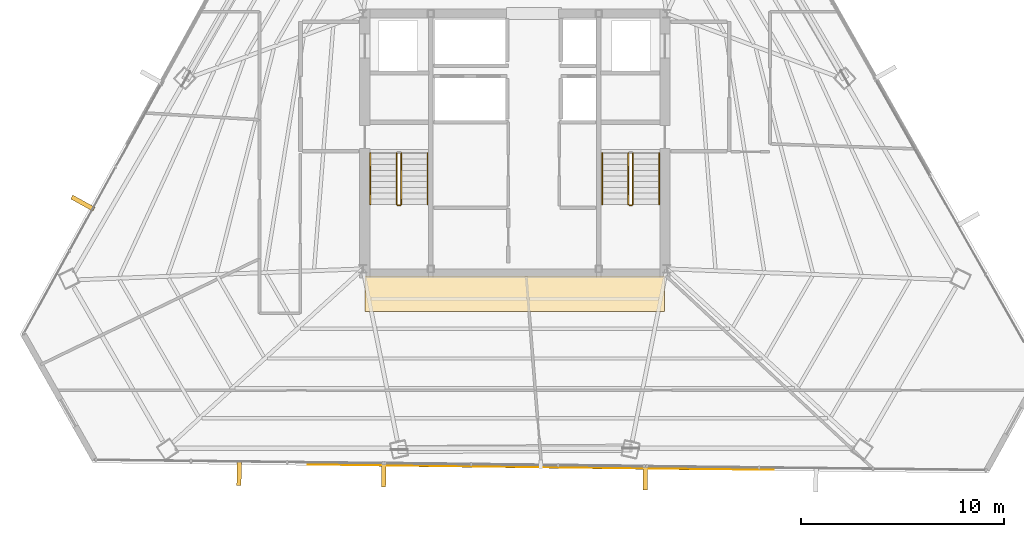
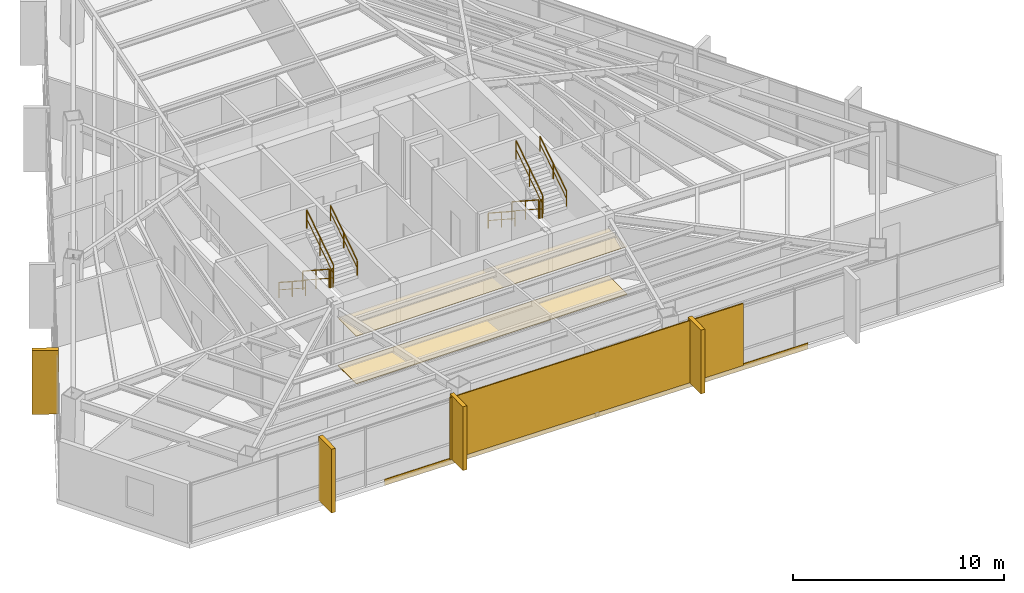
# One storey, part 38 of 40: 10 railings, 7 coverings, 1 shading device.
"""IFC4 building model written with IfcOpenShell, lengths in metres."""

from ifc_helpers import new_model, si_unit, direction, frame, origin, origin_2d, place, context, subcontext, project, spatial, polyline, rectangle, outline, extrude, source, transform, mapped, material, layer, layer_set, type_object, type_shapes, element, save


model = new_model("IFC4")

# Units and contexts
model_context = context("Model", 3, precision=1e-05, world=origin(), true_north=direction((0.0, 1.0)))
body_context = subcontext(model_context, "Body", "Model", "MODEL_VIEW")
ifc_project = project(units=[si_unit("LENGTHUNIT", "METRE"), si_unit("AREAUNIT", "SQUARE_METRE"), si_unit("VOLUMEUNIT", "CUBIC_METRE"), si_unit("PLANEANGLEUNIT", "RADIAN"), si_unit("MASSUNIT", "GRAM", prefix="KILO")], contexts=[model_context])

# Site, building, storey
site_placement = place(None, origin())
site = spatial("IfcSite", under=ifc_project, at=site_placement, CompositionType="ELEMENT")
building_placement = place(site_placement, origin())
building = spatial("IfcBuilding", under=site, at=building_placement, Name="Caelisora Broadcast Tower", CompositionType="ELEMENT")
storey_placement = place(building_placement, frame((0.0, 0.0, 213.25)))
storey = spatial("IfcBuildingStorey", under=building, at=storey_placement, Name="L56", CompositionType="ELEMENT", Elevation=213.25)

# Coverings
ifc_material_1 = material(Name="Perforated Mineral-Fibre Acoustic Ceiling Tile", Category="gypsum")
ifc_layer_1 = layer(ifc_material_1, 0.034912109375, Name="Perforated Mineral-Fibre Acoustic Ceiling Tile")
ifc_layer_set_1 = layer_set([ifc_layer_1], Name="Perforated Mineral-Fibre Acoustic Ceiling Tile")
covering_type_1 = type_object("IfcCoveringType", Name="CE-1", PredefinedType="CEILING", material=ifc_layer_set_1)
covering_1_placement = place(storey_placement, frame((0.0, 0.0, 2.75)))
element("IfcCovering", 1, at=covering_1_placement, inside=storey, type_object=covering_type_1, Name="L56 acoustic corridor ceiling CE-1 (S)", PredefinedType="CEILING", context=body_context, shape_type="SweptSolid", body=[
    extrude(outline(polyline([(30.60009765625, 15.300048828125), (45.39990234375, 15.300048828125), (45.39990234375, 17.050048828125), (30.60009765625, 17.050048828125), (30.60009765625, 15.300048828125)])), origin(), (0.0, 0.0, 1.0), 0.034912109375),
])
ifc_material_2 = material(Name="Anti-Static Broadcast Raised Access Floor Panel", Category="steel")
ifc_layer_2 = layer(ifc_material_2, 0.044921875, Name="Anti-Static Broadcast Raised Access Floor Panel")
ifc_layer_set_2 = layer_set([ifc_layer_2], Name="Anti-Static Broadcast Raised Access Floor Panel")
covering_type_2 = type_object("IfcCoveringType", Name="FL-1", PredefinedType="FLOORING", material=ifc_layer_set_2)
covering_2_placement = place(storey_placement, origin())
element("IfcCovering", 2, at=covering_2_placement, inside=storey, type_object=covering_type_2, Name="L56 broadcast raised access floor FL-1 (S)", PredefinedType="FLOORING", context=body_context, shape_type="SweptSolid", body=[
    extrude(outline(polyline([(30.60009765625, 15.300048828125), (45.39990234375, 15.300048828125), (45.39990234375, 17.050048828125), (30.60009765625, 17.050048828125), (30.60009765625, 15.300048828125)])), origin(), (0.0, 0.0, 1.0), 0.044921875),
])

# Railings
ifc_material_3 = material(Name="Galvanised Steel Safety Guardrail", Category="steel")
ifc_layer_3 = layer(ifc_material_3, 0.048095703125, Name="Galvanised Steel Safety Guardrail")
ifc_layer_set_3 = layer_set([ifc_layer_3], Name="Galvanised Steel Safety Guardrail")
railing_type_1 = type_object("IfcRailingType", Name="GR-1", PredefinedType="GUARDRAIL", material=ifc_layer_set_3)
railing_1_placement = place(storey_placement, frame((32.169921875, 23.10009765625, 0.1826171875)))
element("IfcRailing", 3, at=railing_1_placement, inside=storey, type_object=railing_type_1, Name="L56 ST-1 stair guard 1", PredefinedType="GUARDRAIL", context=body_context, shape_type="SweptSolid", body=[
    extrude(rectangle(XDim=0.048095703125, YDim=0.048095703125, at=origin_2d()), frame((0.0, 0.0, 1.076171875), z_axis=(0.0, -0.837786554691, 0.545997883492), x_axis=(1.0, 0.0, 0.0)), (0.0, 0.0, 1.0), 3.008056640625),
    extrude(rectangle(XDim=0.03125, YDim=0.03125, at=origin_2d()), frame((0.0, 0.0, 0.550048828125), z_axis=(0.0, -0.837786554691, 0.545997883492), x_axis=(1.0, 0.0, 0.0)), (0.0, 0.0, 1.0), 3.008056640625),
    extrude(rectangle(XDim=0.0419921875, YDim=0.0419921875, at=origin_2d()), origin(), (0.0, 0.0, 1.0), 1.052001953125),
    extrude(rectangle(XDim=0.0419921875, YDim=0.0419921875, at=origin_2d()), frame((0.0, -1.260009765625, 0.8212890625)), (0.0, 0.0, 1.0), 1.052001953125),
    extrude(rectangle(XDim=0.0419921875, YDim=0.0419921875, at=origin_2d()), frame((0.0, -2.52001953125, 1.642333984375)), (0.0, 0.0, 1.0), 1.052001953125),
])
railing_2_placement = place(storey_placement, frame((32.219970703125, 20.530029296875, 1.824951171875)))
element("IfcRailing", 4, at=railing_2_placement, inside=storey, type_object=railing_type_1, Name="L56 ST-1 stair guard 2", PredefinedType="GUARDRAIL", context=body_context, shape_type="SweptSolid", body=[
    extrude(rectangle(XDim=0.048095703125, YDim=0.048095703125, at=origin_2d()), frame((0.0, 0.0, 1.076171875), z_axis=(1.0, 0.0, 0.0), x_axis=(0.0, 1.0, 0.0)), (0.0, 0.0, 1.0), 0.1201171875),
    extrude(rectangle(XDim=0.03125, YDim=0.03125, at=origin_2d()), frame((0.0, 0.0, 0.550048828125), z_axis=(1.0, 0.0, 0.0), x_axis=(0.0, 1.0, 0.0)), (0.0, 0.0, 1.0), 0.1201171875),
    extrude(rectangle(XDim=0.0419921875, YDim=0.0419921875, at=origin_2d()), origin(), (0.0, 0.0, 1.0), 1.052001953125),
    extrude(rectangle(XDim=0.0419921875, YDim=0.0419921875, at=origin_2d()), frame((0.1201171875, 0.0, 0.0)), (0.0, 0.0, 1.0), 1.052001953125),
])
railing_3_placement = place(storey_placement, frame((32.389892578125, 20.580078125, 2.007568359375)))
element("IfcRailing", 5, at=railing_3_placement, inside=storey, type_object=railing_type_1, Name="L56 ST-1 stair guard 3", PredefinedType="GUARDRAIL", context=body_context, shape_type="SweptSolid", body=[
    extrude(rectangle(XDim=0.048095703125, YDim=0.048095703125, at=origin_2d()), frame((0.0, 0.0, 1.076171875), z_axis=(0.0, 0.837786554691, 0.545997883492), x_axis=(-1.0, 0.0, 0.0)), (0.0, 0.0, 1.0), 3.008056640625),
    extrude(rectangle(XDim=0.03125, YDim=0.03125, at=origin_2d()), frame((0.0, 0.0, 0.550048828125), z_axis=(0.0, 0.837786554691, 0.545997883492), x_axis=(-1.0, 0.0, 0.0)), (0.0, 0.0, 1.0), 3.008056640625),
    extrude(rectangle(XDim=0.0419921875, YDim=0.0419921875, at=origin_2d()), origin(), (0.0, 0.0, 1.0), 1.052001953125),
    extrude(rectangle(XDim=0.0419921875, YDim=0.0419921875, at=origin_2d()), frame((0.0, 1.260009765625, 0.8212890625)), (0.0, 0.0, 1.0), 1.052001953125),
    extrude(rectangle(XDim=0.0419921875, YDim=0.0419921875, at=origin_2d()), frame((0.0, 2.52001953125, 1.642333984375)), (0.0, 0.0, 1.0), 1.052001953125),
])
railing_4_placement = place(storey_placement, frame((43.610107421875, 23.10009765625, 0.1826171875)))
element("IfcRailing", 6, at=railing_4_placement, inside=storey, type_object=railing_type_1, Name="L56 ST-2 stair guard 1", PredefinedType="GUARDRAIL", context=body_context, shape_type="SweptSolid", body=[
    extrude(rectangle(XDim=0.048095703125, YDim=0.048095703125, at=origin_2d()), frame((0.0, 0.0, 1.076171875), z_axis=(0.0, -0.837786554691, 0.545997883492), x_axis=(1.0, 0.0, 0.0)), (0.0, 0.0, 1.0), 3.008056640625),
    extrude(rectangle(XDim=0.03125, YDim=0.03125, at=origin_2d()), frame((0.0, 0.0, 0.550048828125), z_axis=(0.0, -0.837786554691, 0.545997883492), x_axis=(1.0, 0.0, 0.0)), (0.0, 0.0, 1.0), 3.008056640625),
    extrude(rectangle(XDim=0.0419921875, YDim=0.0419921875, at=origin_2d()), origin(), (0.0, 0.0, 1.0), 1.052001953125),
    extrude(rectangle(XDim=0.0419921875, YDim=0.0419921875, at=origin_2d()), frame((0.0, -1.260009765625, 0.8212890625)), (0.0, 0.0, 1.0), 1.052001953125),
    extrude(rectangle(XDim=0.0419921875, YDim=0.0419921875, at=origin_2d()), frame((0.0, -2.52001953125, 1.642333984375)), (0.0, 0.0, 1.0), 1.052001953125),
])
railing_5_placement = place(storey_placement, frame((43.659912109375, 20.530029296875, 1.824951171875)))
element("IfcRailing", 7, at=railing_5_placement, inside=storey, type_object=railing_type_1, Name="L56 ST-2 stair guard 2", PredefinedType="GUARDRAIL", context=body_context, shape_type="SweptSolid", body=[
    extrude(rectangle(XDim=0.048095703125, YDim=0.048095703125, at=origin_2d()), frame((0.0, 0.0, 1.076171875), z_axis=(1.0, 0.0, 0.0), x_axis=(0.0, 1.0, 0.0)), (0.0, 0.0, 1.0), 0.1201171875),
    extrude(rectangle(XDim=0.03125, YDim=0.03125, at=origin_2d()), frame((0.0, 0.0, 0.550048828125), z_axis=(1.0, 0.0, 0.0), x_axis=(0.0, 1.0, 0.0)), (0.0, 0.0, 1.0), 0.1201171875),
    extrude(rectangle(XDim=0.0419921875, YDim=0.0419921875, at=origin_2d()), origin(), (0.0, 0.0, 1.0), 1.052001953125),
    extrude(rectangle(XDim=0.0419921875, YDim=0.0419921875, at=origin_2d()), frame((0.1201171875, 0.0, 0.0)), (0.0, 0.0, 1.0), 1.052001953125),
])
railing_6_placement = place(storey_placement, frame((43.830078125, 20.580078125, 2.007568359375)))
element("IfcRailing", 8, at=railing_6_placement, inside=storey, type_object=railing_type_1, Name="L56 ST-2 stair guard 3", PredefinedType="GUARDRAIL", context=body_context, shape_type="SweptSolid", body=[
    extrude(rectangle(XDim=0.048095703125, YDim=0.048095703125, at=origin_2d()), frame((0.0, 0.0, 1.076171875), z_axis=(0.0, 0.837786554691, 0.545997883492), x_axis=(-1.0, 0.0, 0.0)), (0.0, 0.0, 1.0), 3.008056640625),
    extrude(rectangle(XDim=0.03125, YDim=0.03125, at=origin_2d()), frame((0.0, 0.0, 0.550048828125), z_axis=(0.0, 0.837786554691, 0.545997883492), x_axis=(-1.0, 0.0, 0.0)), (0.0, 0.0, 1.0), 3.008056640625),
    extrude(rectangle(XDim=0.0419921875, YDim=0.0419921875, at=origin_2d()), origin(), (0.0, 0.0, 1.0), 1.052001953125),
    extrude(rectangle(XDim=0.0419921875, YDim=0.0419921875, at=origin_2d()), frame((0.0, 1.260009765625, 0.8212890625)), (0.0, 0.0, 1.0), 1.052001953125),
    extrude(rectangle(XDim=0.0419921875, YDim=0.0419921875, at=origin_2d()), frame((0.0, 2.52001953125, 1.642333984375)), (0.0, 0.0, 1.0), 1.052001953125),
])
ifc_material_4 = material(Name="Stainless Steel Grade 316 Tubular Handrail", Category="steel")
ifc_layer_4 = layer(ifc_material_4, 0.048095703125, Name="Stainless Steel Grade 316 Tubular Handrail")
ifc_layer_set_4 = layer_set([ifc_layer_4], Name="Stainless Steel Grade 316 Tubular Handrail")
railing_type_2 = type_object("IfcRailingType", Name="HR-1", PredefinedType="HANDRAIL", material=ifc_layer_set_4)
railing_7_placement = place(storey_placement, frame((30.8701171875, 23.10009765625, 0.1826171875)))
element("IfcRailing", 9, at=railing_7_placement, inside=storey, type_object=railing_type_2, Name="L56 ST-1 stair handrail 1", PredefinedType="HANDRAIL", context=body_context, shape_type="SweptSolid", body=[
    extrude(rectangle(XDim=0.048095703125, YDim=0.048095703125, at=origin_2d()), frame((0.0, 0.0, 0.8759765625), z_axis=(0.0, -0.837786554691, 0.545997883492), x_axis=(1.0, 0.0, 0.0)), (0.0, 0.0, 1.0), 3.008056640625),
    extrude(rectangle(XDim=0.03125, YDim=0.03125, at=origin_2d()), frame((0.0, 0.0, 0.449951171875), z_axis=(0.0, -0.837786554691, 0.545997883492), x_axis=(1.0, 0.0, 0.0)), (0.0, 0.0, 1.0), 3.008056640625),
    extrude(rectangle(XDim=0.0419921875, YDim=0.0419921875, at=origin_2d()), origin(), (0.0, 0.0, 1.0), 0.851806640625),
    extrude(rectangle(XDim=0.0419921875, YDim=0.0419921875, at=origin_2d()), frame((0.0, -1.260009765625, 0.8212890625)), (0.0, 0.0, 1.0), 0.851806640625),
    extrude(rectangle(XDim=0.0419921875, YDim=0.0419921875, at=origin_2d()), frame((0.0, -2.52001953125, 1.642333984375)), (0.0, 0.0, 1.0), 0.851806640625),
])
railing_8_placement = place(storey_placement, frame((33.68994140625, 20.580078125, 2.007568359375)))
element("IfcRailing", 10, at=railing_8_placement, inside=storey, type_object=railing_type_2, Name="L56 ST-1 stair handrail 2", PredefinedType="HANDRAIL", context=body_context, shape_type="SweptSolid", body=[
    extrude(rectangle(XDim=0.048095703125, YDim=0.048095703125, at=origin_2d()), frame((0.0, 0.0, 0.8759765625), z_axis=(0.0, 0.837786554691, 0.545997883492), x_axis=(-1.0, 0.0, 0.0)), (0.0, 0.0, 1.0), 3.008056640625),
    extrude(rectangle(XDim=0.03125, YDim=0.03125, at=origin_2d()), frame((0.0, 0.0, 0.449951171875), z_axis=(0.0, 0.837786554691, 0.545997883492), x_axis=(-1.0, 0.0, 0.0)), (0.0, 0.0, 1.0), 3.008056640625),
    extrude(rectangle(XDim=0.0419921875, YDim=0.0419921875, at=origin_2d()), origin(), (0.0, 0.0, 1.0), 0.851806640625),
    extrude(rectangle(XDim=0.0419921875, YDim=0.0419921875, at=origin_2d()), frame((0.0, 1.260009765625, 0.8212890625)), (0.0, 0.0, 1.0), 0.851806640625),
    extrude(rectangle(XDim=0.0419921875, YDim=0.0419921875, at=origin_2d()), frame((0.0, 2.52001953125, 1.642333984375)), (0.0, 0.0, 1.0), 0.851806640625),
])
railing_9_placement = place(storey_placement, frame((42.31005859375, 23.10009765625, 0.1826171875)))
element("IfcRailing", 11, at=railing_9_placement, inside=storey, type_object=railing_type_2, Name="L56 ST-2 stair handrail 1", PredefinedType="HANDRAIL", context=body_context, shape_type="SweptSolid", body=[
    extrude(rectangle(XDim=0.048095703125, YDim=0.048095703125, at=origin_2d()), frame((0.0, 0.0, 0.8759765625), z_axis=(0.0, -0.837786554691, 0.545997883492), x_axis=(1.0, 0.0, 0.0)), (0.0, 0.0, 1.0), 3.008056640625),
    extrude(rectangle(XDim=0.03125, YDim=0.03125, at=origin_2d()), frame((0.0, 0.0, 0.449951171875), z_axis=(0.0, -0.837786554691, 0.545997883492), x_axis=(1.0, 0.0, 0.0)), (0.0, 0.0, 1.0), 3.008056640625),
    extrude(rectangle(XDim=0.0419921875, YDim=0.0419921875, at=origin_2d()), origin(), (0.0, 0.0, 1.0), 0.851806640625),
    extrude(rectangle(XDim=0.0419921875, YDim=0.0419921875, at=origin_2d()), frame((0.0, -1.260009765625, 0.8212890625)), (0.0, 0.0, 1.0), 0.851806640625),
    extrude(rectangle(XDim=0.0419921875, YDim=0.0419921875, at=origin_2d()), frame((0.0, -2.52001953125, 1.642333984375)), (0.0, 0.0, 1.0), 0.851806640625),
])
railing_10_placement = place(storey_placement, frame((45.1298828125, 20.580078125, 2.007568359375)))
element("IfcRailing", 12, at=railing_10_placement, inside=storey, type_object=railing_type_2, Name="L56 ST-2 stair handrail 2", PredefinedType="HANDRAIL", context=body_context, shape_type="SweptSolid", body=[
    extrude(rectangle(XDim=0.048095703125, YDim=0.048095703125, at=origin_2d()), frame((0.0, 0.0, 0.8759765625), z_axis=(0.0, 0.837786554691, 0.545997883492), x_axis=(-1.0, 0.0, 0.0)), (0.0, 0.0, 1.0), 3.008056640625),
    extrude(rectangle(XDim=0.03125, YDim=0.03125, at=origin_2d()), frame((0.0, 0.0, 0.449951171875), z_axis=(0.0, 0.837786554691, 0.545997883492), x_axis=(-1.0, 0.0, 0.0)), (0.0, 0.0, 1.0), 3.008056640625),
    extrude(rectangle(XDim=0.0419921875, YDim=0.0419921875, at=origin_2d()), origin(), (0.0, 0.0, 1.0), 0.851806640625),
    extrude(rectangle(XDim=0.0419921875, YDim=0.0419921875, at=origin_2d()), frame((0.0, 1.260009765625, 0.8212890625)), (0.0, 0.0, 1.0), 0.851806640625),
    extrude(rectangle(XDim=0.0419921875, YDim=0.0419921875, at=origin_2d()), frame((0.0, 2.52001953125, 1.642333984375)), (0.0, 0.0, 1.0), 0.851806640625),
])

# Coverings
ifc_material_5 = material(Name="Kiln-Fired Terracotta Spandrel Rainscreen Cladding", Category="ceramic")
ifc_layer_5 = layer(ifc_material_5, 0.044921875, Name="Kiln-Fired Terracotta Spandrel Rainscreen Cladding")
ifc_layer_set_5 = layer_set([ifc_layer_5], Name="Kiln-Fired Terracotta Spandrel Rainscreen Cladding")
covering_type_3 = type_object("IfcCoveringType", Name="CL-1", PredefinedType="CLADDING", material=ifc_layer_set_5)
shared_shape_1 = source(origin(), body_context, "Body", "SweptSolid", [
    extrude(rectangle(XDim=0.219970703125, YDim=1.25, at=origin_2d()), origin(), (0.0, 0.0, 1.0), 3.68994140625),
])
for number, where, z_axis, x_axis, name in (
    (13, (44.445068359375, 7.09716796875, -0.02001953125), (0.0, 0.0, 1.0), (-0.99993365506, 0.011518918316, 0.0), "L56 vertical solar fin cladding #2-2"),
    (14, (31.52490234375, 7.245361328125, -0.02001953125), (0.0, 0.0, 1.0), (-0.99993365506, 0.011518918316, 0.0), "L56 vertical solar fin cladding #2-3"),
    (15, (24.389404296875, 7.3271484375, -0.02001953125), (0.0, 0.0, 1.0), (-0.99993365506, 0.011518918316, 0.0), "L56 vertical solar fin cladding #2-4"),
    (16, (16.67578125, 20.642822265625, -0.02001953125), (0.0, 0.0, 1.0), (0.482976759048, 0.875633171036, 0.0), "L56 vertical solar fin cladding #3-1"),
):
    element("IfcCovering", number, at=place(storey_placement, frame(where, z_axis=z_axis, x_axis=x_axis)), inside=storey, type_object=covering_type_3, Name=name, PredefinedType="CLADDING", context=body_context, shape_type="MappedRepresentation", body=[
        mapped(shared_shape_1, transform((0.0, 0.0, 0.0), scale=1.0)),
    ])

# Shading device
ifc_material_6 = material(Name="Perforated Glazed Terracotta Baguette Solar Screen", Category="ceramic")
ifc_layer_6 = layer(ifc_material_6, 0.06494140625, Name="Perforated Glazed Terracotta Baguette Solar Screen")
ifc_layer_set_6 = layer_set([ifc_layer_6], Name="Perforated Glazed Terracotta Baguette Solar Screen")
shading_device_type = type_object("IfcShadingDeviceType", Name="SS-1", PredefinedType="USERDEFINED", material=ifc_layer_set_6)
shared_shape_2 = source(origin(), body_context, "Body", "SweptSolid", [
    extrude(rectangle(XDim=15.916015625, YDim=0.06494140625, at=origin_2d()), origin(), (0.0, 0.0, 1.0), 3.590087890625),
])
type_shapes(shading_device_type, [shared_shape_2])
shading_device_placement = place(storey_placement, frame((39.277099609375, 7.6064453125, 0.0), z_axis=(0.0, 0.0, 1.0), x_axis=(0.99993365506, -0.011518918316, 0.0)))
element("IfcShadingDevice", 17, at=shading_device_placement, inside=storey, type_object=shading_device_type, Name="L56 perforated terracotta solar screen #2", ObjectType="SOLAR SCREEN", PredefinedType="USERDEFINED", context=body_context, shape_type="MappedRepresentation", body=[
    mapped(shared_shape_2, transform((0.0, 0.0, 0.0), scale=1.0)),
])

# Covering
shared_shape_3 = source(origin(), body_context, "Body", "SweptSolid", [
    extrude(rectangle(XDim=22.989990234375, YDim=0.044921875, at=origin_2d()), origin(), (0.0, 0.0, 1.0), 0.340087890625),
])
type_shapes(covering_type_3, [shared_shape_1, shared_shape_3])
covering_3_placement = place(storey_placement, frame((39.277099609375, 7.62646484375, -0.27001953125), z_axis=(0.0, 0.0, 1.0), x_axis=(0.99993365506, -0.011518918316, 0.0)))
element("IfcCovering", 18, at=covering_3_placement, inside=storey, type_object=covering_type_3, Name="L56 terracotta spandrel rainscreen #2", PredefinedType="CLADDING", context=body_context, shape_type="MappedRepresentation", body=[
    mapped(shared_shape_3, transform((0.0, 0.0, 0.0), scale=1.0)),
])

save(model, "model.ifc")
